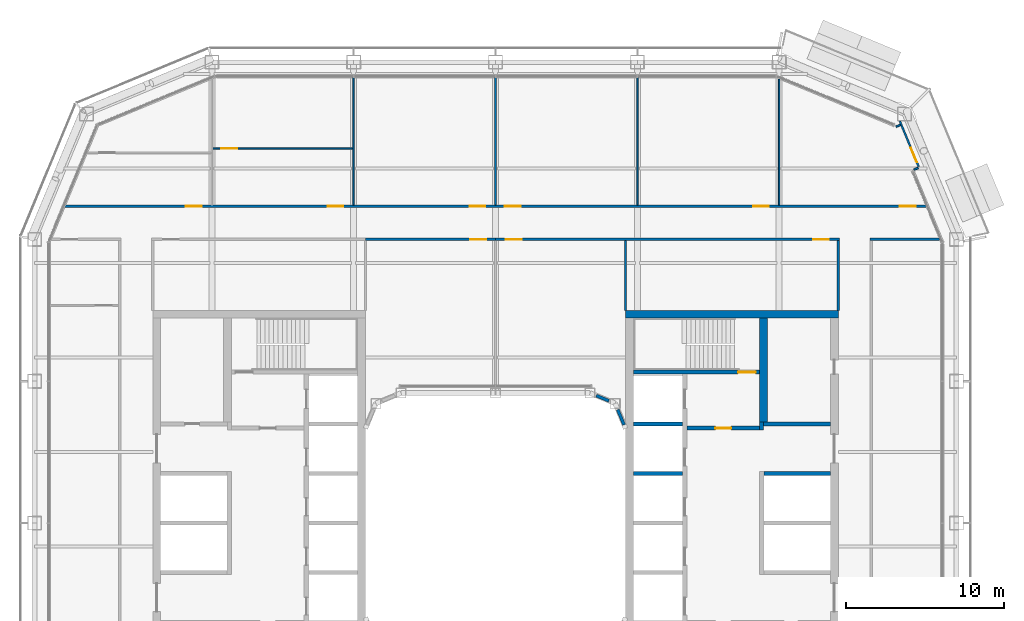
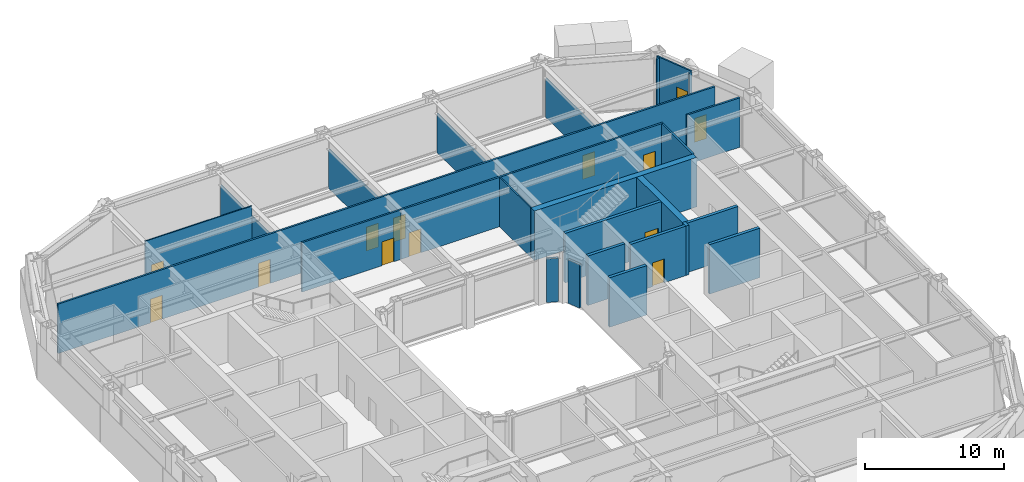
# One storey, part 14 of 23: 25 walls, 13 doors, 13 openings.
"""IFC4 building model written with IfcOpenShell, lengths in metres."""

from ifc_helpers import new_model, si_unit, direction, frame, frame_2d, origin, place, context, subcontext, project, spatial, rectangle, extrude, material, layer, layer_set, type_object, element, fill, save


model = new_model("IFC4")

# Units and contexts
model_context = context("Model", 3, precision=1e-05, world=origin(), true_north=direction((0.0, 1.0)))
body_context = subcontext(model_context, "Body", "Model", "MODEL_VIEW")
ifc_project = project(units=[si_unit("LENGTHUNIT", "METRE"), si_unit("AREAUNIT", "SQUARE_METRE"), si_unit("VOLUMEUNIT", "CUBIC_METRE"), si_unit("PLANEANGLEUNIT", "RADIAN"), si_unit("MASSUNIT", "GRAM", prefix="KILO")], contexts=[model_context])

# Site, building, storey
site_placement = place(None, origin())
site = spatial("IfcSite", under=ifc_project, at=site_placement, CompositionType="ELEMENT")
building_placement = place(site_placement, origin())
building = spatial("IfcBuilding", under=site, at=building_placement, Name="Siwar Civic Tower", CompositionType="ELEMENT")
storey_placement = place(building_placement, frame((0.0, 0.0, 167.699951171875)))
storey = spatial("IfcBuildingStorey", under=building, at=storey_placement, Name="L36", CompositionType="ELEMENT", Elevation=167.699951171875)

# Wall, opening, door
ifc_material_1 = material(Name="Gypsum board on steel studs", Category="steel")
ifc_layer_1 = layer(ifc_material_1, 0.14990234375)
ifc_layer_set_1 = layer_set([ifc_layer_1], Name="Gypsum board on steel studs")
wall_type_1 = type_object("IfcWallType", Name="COMPARTMENT PARTITION 150 EI 60", PredefinedType="PARTITIONING", material=ifc_layer_set_1)
wall_1_placement = place(storey_placement, frame((-8.25, 18.0, 0.0), z_axis=(0.0, 0.0, 1.0), x_axis=(1.0, 0.0, 0.0)))
wall_1 = element("IfcWall", 1, at=wall_1_placement, inside=storey, type_object=wall_type_1, Name="L36/wall/P13", PredefinedType="PARTITIONING", context=body_context, shape_type="SweptSolid", body=[
    extrude(rectangle(XDim=8.25, YDim=0.14990234375, at=frame_2d((4.125, 0.0))), origin(), (0.0, 0.0, 1.0), 4.35009765625),
])
opening_1_placement = place(wall_1_placement, frame((6.64990234375, 0.0, 0.0)))
opening_1 = element("IfcOpeningElement", 2, at=opening_1_placement, cuts=wall_1, Name="Opening D1", PredefinedType="OPENING", context=body_context, shape_type="SweptSolid", body=[
    extrude(rectangle(XDim=1.0, YDim=2.10009765625, at=frame_2d((0.5, 1.050048828125))), frame((0.0, 0.0849609375, 0.0), z_axis=(0.0, -1.0, 0.0), x_axis=(1.0, 0.0, 0.0)), (0.0, 0.0, 1.0), 0.169921875),
])
ifc_material_2 = material(Name="Timber, painted", Category="wood")
door_type_1 = type_object("IfcDoorType", Name="DOOR 1000 X 2100 FD30", OperationType="SINGLE_SWING_LEFT", PredefinedType="DOOR", material=ifc_material_2)
door_1_placement = place(opening_1_placement, origin())
door_1 = element("IfcDoor", 3, at=door_1_placement, inside=storey, type_object=door_type_1, Name="L36-D16", OperationType="SINGLE_SWING_RIGHT", OverallHeight=2.10009765625, OverallWidth=1.0, PredefinedType="DOOR", context=body_context, shape_type="SweptSolid", body=[
    extrude(rectangle(XDim=1.0, YDim=2.10009765625, at=frame_2d((0.5, 1.050048828125))), frame((0.0, 0.02490234375, 0.0), z_axis=(0.0, -1.0, 0.0), x_axis=(1.0, 0.0, 0.0)), (0.0, 0.0, 1.0), 0.050048828125),
])
fill(opening_1, door_1)

ifc_material_3 = material(Name="Concrete C60/75", Category="concrete")
ifc_layer_2 = layer(ifc_material_3, 0.25)
ifc_layer_set_2 = layer_set([ifc_layer_2], Name="Concrete C60/75")
wall_type_2 = type_object("IfcWallType", Name="CORE-WALL-RC250", PredefinedType="SHEAR", material=ifc_layer_set_2)
wall_2_placement = place(storey_placement, frame((12.14990234375, 6.02490234375, 0.0), z_axis=(0.0, 0.0, 1.0), x_axis=(1.0, 0.0, 0.0)))
wall_2 = element("IfcWall", 4, at=wall_2_placement, inside=storey, type_object=wall_type_2, Name="Core wall E", PredefinedType="SHEAR", context=body_context, shape_type="SweptSolid", body=[
    extrude(rectangle(XDim=4.60009765625, YDim=0.25, at=frame_2d((2.300048828125, 0.0))), origin(), (0.0, 0.0, 1.0), 4.35009765625),
])
opening_2_placement = place(wall_2_placement, frame((1.800048828125, 0.0, 0.0)))
opening_2 = element("IfcOpeningElement", 5, at=opening_2_placement, cuts=wall_2, Name="Opening L36-CE01", PredefinedType="OPENING", context=body_context, shape_type="SweptSolid", body=[
    extrude(rectangle(XDim=1.0, YDim=2.10009765625, at=frame_2d((0.5, 1.050048828125))), frame((0.0, 0.135009765625, 0.0), z_axis=(0.0, -1.0, 0.0), x_axis=(1.0, 0.0, 0.0)), (0.0, 0.0, 1.0), 0.27001953125),
])
ifc_material_4 = material(Name="Steel door leaf", Category="steel")
door_type_2 = type_object("IfcDoorType", Name="CORE-DOOR-FD30S", OperationType="SINGLE_SWING_LEFT", PredefinedType="DOOR", material=ifc_material_4)
door_2_placement = place(opening_2_placement, origin())
door_2 = element("IfcDoor", 6, at=door_2_placement, inside=storey, type_object=door_type_2, Name="Firefighting lobby door L36-CE01", OperationType="SINGLE_SWING_RIGHT", OverallHeight=2.10009765625, OverallWidth=1.0, PredefinedType="DOOR", context=body_context, shape_type="SweptSolid", body=[
    extrude(rectangle(XDim=1.0, YDim=2.10009765625, at=frame_2d((0.5, 1.050048828125))), frame((0.0, 0.02490234375, 0.0), z_axis=(0.0, -1.0, 0.0), x_axis=(1.0, 0.0, 0.0)), (0.0, 0.0, 1.0), 0.050048828125),
])
fill(opening_2, door_2)

# Walls
wall_3_placement = place(storey_placement, frame((16.875, 5.89990234375, 0.0), z_axis=(0.0, 0.0, 1.0), x_axis=(0.0, 1.0, 0.0)))
element("IfcWall", 7, at=wall_3_placement, inside=storey, type_object=wall_type_2, Name="Core wall E", PredefinedType="SHEAR", context=body_context, shape_type="SweptSolid", body=[
    extrude(rectangle(XDim=0.525146484375, YDim=0.25, at=frame_2d((0.2626953125, 0.0))), origin(), (0.0, 0.0, 1.0), 4.35009765625),
])
wall_4_placement = place(storey_placement, frame((17.0, 6.300048828125, 0.0), z_axis=(0.0, 0.0, 1.0), x_axis=(1.0, 0.0, 0.0)))
element("IfcWall", 8, at=wall_4_placement, inside=storey, type_object=wall_type_2, Name="Core wall E", PredefinedType="SHEAR", context=body_context, shape_type="SweptSolid", body=[
    extrude(rectangle(XDim=4.25, YDim=0.25, at=frame_2d((2.125, 0.0))), origin(), (0.0, 0.0, 1.0), 4.35009765625),
])
wall_5_placement = place(storey_placement, frame((17.050048828125, 3.14990234375, 0.0), z_axis=(0.0, 0.0, 1.0), x_axis=(1.0, 0.0, 0.0)))
element("IfcWall", 9, at=wall_5_placement, inside=storey, type_object=wall_type_2, Name="Core wall E", PredefinedType="SHEAR", context=body_context, shape_type="SweptSolid", body=[
    extrude(rectangle(XDim=4.199951171875, YDim=0.25, at=frame_2d((2.10009765625, 0.0))), origin(), (0.0, 0.0, 1.0), 4.35009765625),
])
for number, where, z_axis, x_axis, name in (
    (10, (8.75, 3.14990234375, 0.0), (0.0, 0.0, 1.0), (1.0, 0.0, 0.0), "Core wall E"),
    (11, (8.75, 6.300048828125, 0.0), (0.0, 0.0, 1.0), (1.0, 0.0, 0.0), "Core wall E"),
):
    element("IfcWall", number, at=place(storey_placement, frame(where, z_axis=z_axis, x_axis=x_axis)), inside=storey, type_object=wall_type_2, Name=name, PredefinedType="SHEAR", context=body_context, shape_type="SweptSolid", body=[
        extrude(rectangle(XDim=3.10009765625, YDim=0.25, at=frame_2d((1.550048828125, 0.0))), origin(), (0.0, 0.0, 1.0), 4.35009765625),
    ])

# Wall, opening, door
wall_6_placement = place(storey_placement, frame((8.75, 9.574951171875, 0.0), z_axis=(0.0, 0.0, 1.0), x_axis=(1.0, 0.0, 0.0)))
wall_6 = element("IfcWall", 12, at=wall_6_placement, inside=storey, type_object=wall_type_2, Name="Core wall E", PredefinedType="SHEAR", context=body_context, shape_type="SweptSolid", body=[
    extrude(rectangle(XDim=8.0, YDim=0.25, at=frame_2d((4.0, 0.0))), origin(), (0.0, 0.0, 1.0), 4.35009765625),
])
opening_3_placement = place(wall_6_placement, frame((6.64990234375, 0.0, 0.0)))
opening_3 = element("IfcOpeningElement", 13, at=opening_3_placement, cuts=wall_6, Name="Opening L36-CE03", PredefinedType="OPENING", context=body_context, shape_type="SweptSolid", body=[
    extrude(rectangle(XDim=1.10009765625, YDim=2.10009765625, at=frame_2d((0.550048828125, 1.050048828125))), frame((0.0, 0.135009765625, 0.0), z_axis=(0.0, -1.0, 0.0), x_axis=(1.0, 0.0, 0.0)), (0.0, 0.0, 1.0), 0.27001953125),
])
ifc_material_5 = material(Name="Steel door leaf", Category="steel")
door_type_3 = type_object("IfcDoorType", Name="CORE-DOOR-FD60S", OperationType="SINGLE_SWING_LEFT", PredefinedType="DOOR", material=ifc_material_5)
door_3_placement = place(opening_3_placement, origin())
door_3 = element("IfcDoor", 14, at=door_3_placement, inside=storey, type_object=door_type_3, Name="Stair door L36-CE03", OperationType="SINGLE_SWING_LEFT", OverallHeight=2.10009765625, OverallWidth=1.10009765625, PredefinedType="DOOR", context=body_context, shape_type="SweptSolid", body=[
    extrude(rectangle(XDim=1.10009765625, YDim=2.10009765625, at=frame_2d((0.550048828125, 1.050048828125))), frame((0.0, 0.02490234375, 0.0), z_axis=(0.0, -1.0, 0.0), x_axis=(1.0, 0.0, 0.0)), (0.0, 0.0, 1.0), 0.050048828125),
])
fill(opening_3, door_3)

# Walls
ifc_material_6 = material(Name="Concrete C60/75", Category="concrete")
ifc_layer_3 = layer(ifc_material_6, 0.5)
ifc_layer_set_3 = layer_set([ifc_layer_3], Name="Concrete C60/75")
wall_type_3 = type_object("IfcWallType", Name="CORE-WALL-RC500", PredefinedType="SHEAR", material=ifc_layer_set_3)
wall_7_placement = place(storey_placement, frame((17.0, 6.425048828125, 0.0), z_axis=(0.0, 0.0, 1.0), x_axis=(0.0, 1.0, 0.0)))
element("IfcWall", 15, at=wall_7_placement, inside=storey, type_object=wall_type_3, Name="Core wall E", PredefinedType="SHEAR", context=body_context, shape_type="SweptSolid", body=[
    extrude(rectangle(XDim=6.574951171875, YDim=0.5, at=frame_2d((3.28759765625, 0.0))), origin(), (0.0, 0.0, 1.0), 4.35009765625),
])
wall_8_placement = place(storey_placement, frame((8.25, 13.25, 0.0), z_axis=(0.0, 0.0, 1.0), x_axis=(1.0, 0.0, 0.0)))
element("IfcWall", 16, at=wall_8_placement, inside=storey, type_object=wall_type_3, Name="Core wall E", PredefinedType="SHEAR", context=body_context, shape_type="SweptSolid", body=[
    extrude(rectangle(XDim=13.5, YDim=0.5, at=frame_2d((6.75, 0.0))), origin(), (0.0, 0.0, 1.0), 4.35009765625),
])

# Wall, openings, doors
ifc_material_7 = material(Name="Gypsum board on steel studs", Category="steel")
ifc_layer_4 = layer(ifc_material_7, 0.14990234375)
ifc_layer_set_4 = layer_set([ifc_layer_4], Name="Gypsum board on steel studs")
wall_type_4 = type_object("IfcWallType", Name="CORRIDOR PARTITION 150 EI 30", PredefinedType="PARTITIONING", material=ifc_layer_set_4)
wall_9_placement = place(storey_placement, frame((0.0, 18.0, 0.0), z_axis=(0.0, 0.0, 1.0), x_axis=(1.0, 0.0, 0.0)))
wall_9 = element("IfcWall", 17, at=wall_9_placement, inside=storey, type_object=wall_type_4, Name="L36/wall/P11", PredefinedType="PARTITIONING", context=body_context, shape_type="SweptSolid", body=[
    extrude(rectangle(XDim=21.824951171875, YDim=0.14990234375, at=frame_2d((10.91259765625, 0.0))), origin(), (0.0, 0.0, 1.0), 4.35009765625),
])
opening_4_placement = place(wall_9_placement, frame((0.64990234375, 0.0, 0.0)))
opening_4 = element("IfcOpeningElement", 18, at=opening_4_placement, cuts=wall_9, Name="Opening D1", PredefinedType="OPENING", context=body_context, shape_type="SweptSolid", body=[
    extrude(rectangle(XDim=1.0, YDim=2.10009765625, at=frame_2d((0.5, 1.050048828125))), frame((0.0, 0.0849609375, 0.0), z_axis=(0.0, -1.0, 0.0), x_axis=(1.0, 0.0, 0.0)), (0.0, 0.0, 1.0), 0.169921875),
])
opening_5_placement = place(wall_9_placement, frame((20.14990234375, 0.0, 0.0)))
opening_5 = element("IfcOpeningElement", 19, at=opening_5_placement, cuts=wall_9, Name="Opening D1", PredefinedType="OPENING", context=body_context, shape_type="SweptSolid", body=[
    extrude(rectangle(XDim=1.0, YDim=2.10009765625, at=frame_2d((0.5, 1.050048828125))), frame((0.0, 0.0849609375, 0.0), z_axis=(0.0, -1.0, 0.0), x_axis=(1.0, 0.0, 0.0)), (0.0, 0.0, 1.0), 0.169921875),
])
door_4_placement = place(opening_4_placement, origin())
door_4 = element("IfcDoor", 20, at=door_4_placement, inside=storey, type_object=door_type_1, Name="L36-D17", OperationType="SINGLE_SWING_LEFT", OverallHeight=2.10009765625, OverallWidth=1.0, PredefinedType="DOOR", context=body_context, shape_type="SweptSolid", body=[
    extrude(rectangle(XDim=1.0, YDim=2.10009765625, at=frame_2d((0.5, 1.050048828125))), frame((0.0, 0.02490234375, 0.0), z_axis=(0.0, -1.0, 0.0), x_axis=(1.0, 0.0, 0.0)), (0.0, 0.0, 1.0), 0.050048828125),
])
fill(opening_4, door_4)
door_5_placement = place(opening_5_placement, origin())
door_5 = element("IfcDoor", 21, at=door_5_placement, inside=storey, type_object=door_type_1, Name="L36-D24", OperationType="SINGLE_SWING_RIGHT", OverallHeight=2.10009765625, OverallWidth=1.0, PredefinedType="DOOR", context=body_context, shape_type="SweptSolid", body=[
    extrude(rectangle(XDim=1.0, YDim=2.10009765625, at=frame_2d((0.5, 1.050048828125))), frame((0.0, 0.02490234375, 0.0), z_axis=(0.0, -1.0, 0.0), x_axis=(1.0, 0.0, 0.0)), (0.0, 0.0, 1.0), 0.050048828125),
])
fill(opening_5, door_5)

# Wall
wall_10_placement = place(storey_placement, frame((23.77490234375, 18.0, 0.0), z_axis=(0.0, 0.0, 1.0), x_axis=(1.0, 0.0, 0.0)))
element("IfcWall", 22, at=wall_10_placement, inside=storey, type_object=wall_type_4, Name="L36/wall/P12", PredefinedType="PARTITIONING", context=body_context, shape_type="SweptSolid", body=[
    extrude(rectangle(XDim=4.403076171875, YDim=0.14990234375, at=frame_2d((2.20166015625, 0.0))), origin(), (0.0, 0.0, 1.0), 4.35009765625),
])

# Wall, openings, doors
wall_11_placement = place(storey_placement, frame((-27.30810546875, 20.10009765625, 0.0), z_axis=(0.0, 0.0, 1.0), x_axis=(1.0, 0.0, 0.0)))
wall_11 = element("IfcWall", 23, at=wall_11_placement, inside=storey, type_object=wall_type_4, Name="L36/wall/P14", PredefinedType="PARTITIONING", context=body_context, shape_type="SweptSolid", body=[
    extrude(rectangle(XDim=54.6162109375, YDim=0.14990234375, at=frame_2d((27.30810546875, 0.0))), origin(), (0.0, 0.0, 1.0), 4.35009765625),
])
opening_6_placement = place(wall_11_placement, frame((16.657958984375, 0.0, 0.0)))
opening_6 = element("IfcOpeningElement", 24, at=opening_6_placement, cuts=wall_11, Name="Opening D1", PredefinedType="OPENING", context=body_context, shape_type="SweptSolid", body=[
    extrude(rectangle(XDim=1.0, YDim=2.10009765625, at=frame_2d((0.5, 1.050048828125))), frame((0.0, 0.0849609375, 0.0), z_axis=(0.0, -1.0, 0.0), x_axis=(1.0, 0.0, 0.0)), (0.0, 0.0, 1.0), 0.169921875),
])
opening_7_placement = place(wall_11_placement, frame((25.657958984375, 0.0, 0.0)))
opening_7 = element("IfcOpeningElement", 25, at=opening_7_placement, cuts=wall_11, Name="Opening D1", PredefinedType="OPENING", context=body_context, shape_type="SweptSolid", body=[
    extrude(rectangle(XDim=1.0, YDim=2.10009765625, at=frame_2d((0.5, 1.050048828125))), frame((0.0, 0.0849609375, 0.0), z_axis=(0.0, -1.0, 0.0), x_axis=(1.0, 0.0, 0.0)), (0.0, 0.0, 1.0), 0.169921875),
])
opening_8_placement = place(wall_11_placement, frame((27.907958984375, 0.0, 0.0)))
opening_8 = element("IfcOpeningElement", 26, at=opening_8_placement, cuts=wall_11, Name="Opening D1", PredefinedType="OPENING", context=body_context, shape_type="SweptSolid", body=[
    extrude(rectangle(XDim=1.0, YDim=2.10009765625, at=frame_2d((0.5, 1.050048828125))), frame((0.0, 0.0849609375, 0.0), z_axis=(0.0, -1.0, 0.0), x_axis=(1.0, 0.0, 0.0)), (0.0, 0.0, 1.0), 0.169921875),
])
opening_9_placement = place(wall_11_placement, frame((43.657958984375, 0.0, 0.0)))
opening_9 = element("IfcOpeningElement", 27, at=opening_9_placement, cuts=wall_11, Name="Opening D1", PredefinedType="OPENING", context=body_context, shape_type="SweptSolid", body=[
    extrude(rectangle(XDim=1.0, YDim=2.10009765625, at=frame_2d((0.5, 1.050048828125))), frame((0.0, 0.0849609375, 0.0), z_axis=(0.0, -1.0, 0.0), x_axis=(1.0, 0.0, 0.0)), (0.0, 0.0, 1.0), 0.169921875),
])
opening_10_placement = place(wall_11_placement, frame((7.657958984375, 0.0, 0.0)))
opening_10 = element("IfcOpeningElement", 28, at=opening_10_placement, cuts=wall_11, Name="Opening D1", PredefinedType="OPENING", context=body_context, shape_type="SweptSolid", body=[
    extrude(rectangle(XDim=1.0, YDim=2.10009765625, at=frame_2d((0.5, 1.050048828125))), frame((0.0, 0.0849609375, 0.0), z_axis=(0.0, -1.0, 0.0), x_axis=(1.0, 0.0, 0.0)), (0.0, 0.0, 1.0), 0.169921875),
])
opening_11_placement = place(wall_11_placement, frame((52.966064453125, 0.0, 0.0)))
opening_11 = element("IfcOpeningElement", 29, at=opening_11_placement, cuts=wall_11, Name="Opening D1", PredefinedType="OPENING", context=body_context, shape_type="SweptSolid", body=[
    extrude(rectangle(XDim=1.0, YDim=2.10009765625, at=frame_2d((0.5, 1.050048828125))), frame((0.0, 0.0849609375, 0.0), z_axis=(0.0, -1.0, 0.0), x_axis=(1.0, 0.0, 0.0)), (0.0, 0.0, 1.0), 0.169921875),
])
door_6_placement = place(opening_6_placement, origin())
door_6 = element("IfcDoor", 30, at=door_6_placement, inside=storey, type_object=door_type_1, Name="L36-D01", OperationType="SINGLE_SWING_LEFT", OverallHeight=2.10009765625, OverallWidth=1.0, PredefinedType="DOOR", context=body_context, shape_type="SweptSolid", body=[
    extrude(rectangle(XDim=1.0, YDim=2.10009765625, at=frame_2d((0.5, 1.050048828125))), frame((0.0, 0.02490234375, 0.0), z_axis=(0.0, -1.0, 0.0), x_axis=(1.0, 0.0, 0.0)), (0.0, 0.0, 1.0), 0.050048828125),
])
fill(opening_6, door_6)
door_7_placement = place(opening_7_placement, origin())
door_7 = element("IfcDoor", 31, at=door_7_placement, inside=storey, type_object=door_type_1, Name="L36-D03", OperationType="SINGLE_SWING_LEFT", OverallHeight=2.10009765625, OverallWidth=1.0, PredefinedType="DOOR", context=body_context, shape_type="SweptSolid", body=[
    extrude(rectangle(XDim=1.0, YDim=2.10009765625, at=frame_2d((0.5, 1.050048828125))), frame((0.0, 0.02490234375, 0.0), z_axis=(0.0, -1.0, 0.0), x_axis=(1.0, 0.0, 0.0)), (0.0, 0.0, 1.0), 0.050048828125),
])
fill(opening_7, door_7)
door_8_placement = place(opening_8_placement, origin())
door_8 = element("IfcDoor", 32, at=door_8_placement, inside=storey, type_object=door_type_1, Name="L36-D04", OperationType="SINGLE_SWING_RIGHT", OverallHeight=2.10009765625, OverallWidth=1.0, PredefinedType="DOOR", context=body_context, shape_type="SweptSolid", body=[
    extrude(rectangle(XDim=1.0, YDim=2.10009765625, at=frame_2d((0.5, 1.050048828125))), frame((0.0, 0.02490234375, 0.0), z_axis=(0.0, -1.0, 0.0), x_axis=(1.0, 0.0, 0.0)), (0.0, 0.0, 1.0), 0.050048828125),
])
fill(opening_8, door_8)
door_9_placement = place(opening_9_placement, origin())
door_9 = element("IfcDoor", 33, at=door_9_placement, inside=storey, type_object=door_type_1, Name="L36-D05", OperationType="SINGLE_SWING_LEFT", OverallHeight=2.10009765625, OverallWidth=1.0, PredefinedType="DOOR", context=body_context, shape_type="SweptSolid", body=[
    extrude(rectangle(XDim=1.0, YDim=2.10009765625, at=frame_2d((0.5, 1.050048828125))), frame((0.0, 0.02490234375, 0.0), z_axis=(0.0, -1.0, 0.0), x_axis=(1.0, 0.0, 0.0)), (0.0, 0.0, 1.0), 0.050048828125),
])
fill(opening_9, door_9)
door_10_placement = place(opening_10_placement, origin())
door_10 = element("IfcDoor", 34, at=door_10_placement, inside=storey, type_object=door_type_1, Name="L36-D11", OperationType="SINGLE_SWING_LEFT", OverallHeight=2.10009765625, OverallWidth=1.0, PredefinedType="DOOR", context=body_context, shape_type="SweptSolid", body=[
    extrude(rectangle(XDim=1.0, YDim=2.10009765625, at=frame_2d((0.5, 1.050048828125))), frame((0.0, 0.02490234375, 0.0), z_axis=(0.0, -1.0, 0.0), x_axis=(1.0, 0.0, 0.0)), (0.0, 0.0, 1.0), 0.050048828125),
])
fill(opening_10, door_10)
door_11_placement = place(opening_11_placement, origin())
door_11 = element("IfcDoor", 35, at=door_11_placement, inside=storey, type_object=door_type_1, Name="L36-D13", OperationType="SINGLE_SWING_LEFT", OverallHeight=2.10009765625, OverallWidth=1.0, PredefinedType="DOOR", context=body_context, shape_type="SweptSolid", body=[
    extrude(rectangle(XDim=1.0, YDim=2.10009765625, at=frame_2d((0.5, 1.050048828125))), frame((0.0, 0.02490234375, 0.0), z_axis=(0.0, -1.0, 0.0), x_axis=(1.0, 0.0, 0.0)), (0.0, 0.0, 1.0), 0.050048828125),
])
fill(opening_11, door_11)

# Walls
wall_12_placement = place(storey_placement, frame((21.75, 13.5, 0.0), z_axis=(0.0, 0.0, 1.0), x_axis=(0.0, 1.0, 0.0)))
element("IfcWall", 36, at=wall_12_placement, inside=storey, type_object=wall_type_4, Name="L36/wall/P40", PredefinedType="PARTITIONING", context=body_context, shape_type="SweptSolid", body=[
    extrude(rectangle(XDim=4.425048828125, YDim=0.14990234375, at=frame_2d((2.21240234375, 0.0))), origin(), (0.0, 0.0, 1.0), 4.35009765625),
])
ifc_material_8 = material(Name="Aluminium clad insulated panel", Category="aluminium")
ifc_layer_5 = layer(ifc_material_8, 0.1201171875)
ifc_layer_set_5 = layer_set([ifc_layer_5], Name="Aluminium clad insulated panel")
wall_type_5 = type_object("IfcWallType", Name="ENV-WALL-BAL", PredefinedType="STANDARD", material=ifc_layer_set_5)
for number, where, z_axis, x_axis, name in (
    (37, (26.551025390625, 22.42529296875, 0.0), (0.0, 0.0, 1.0), (0.924119333865, 0.382103986862, 0.0), "Balcony door wall return NE1"),
    (38, (25.421142578125, 25.153076171875, 0.0), (0.0, 0.0, 1.0), (0.923698510492, 0.383120166156, 0.0), "Balcony door wall return NE1"),
):
    element("IfcWall", number, at=place(storey_placement, frame(where, z_axis=z_axis, x_axis=x_axis)), inside=storey, type_object=wall_type_5, Name=name, PredefinedType="STANDARD", context=body_context, shape_type="SweptSolid", body=[
        extrude(rectangle(XDim=0.2900390625, YDim=0.1201171875, at=frame_2d((0.14501953125, 0.0))), origin(), (0.0, 0.0, 1.0), 4.35009765625),
    ])

# Wall, opening, door
wall_13_placement = place(storey_placement, frame((26.8515625, 22.614501953125, 0.0), z_axis=(0.0, 0.0, 1.0), x_axis=(-0.382691800707, 0.923876066186, 0.0)))
wall_13 = element("IfcWall", 39, at=wall_13_placement, inside=storey, type_object=wall_type_5, Name="Balcony door wall NE1", PredefinedType="STANDARD", context=body_context, shape_type="SweptSolid", body=[
    extrude(rectangle(XDim=3.12841796875, YDim=0.1201171875, at=frame_2d((1.564208984375, 0.0))), origin(), (0.0, 0.0, 1.0), 4.35009765625),
])
opening_12_placement = place(wall_13_placement, frame((0.300048828125, 0.0, 0.0)))
opening_12 = element("IfcOpeningElement", 40, at=opening_12_placement, cuts=wall_13, Name="Opening D-BAL", PredefinedType="OPENING", context=body_context, shape_type="SweptSolid", body=[
    extrude(rectangle(XDim=1.0, YDim=2.39990234375, at=frame_2d((0.5, 1.199951171875))), frame((0.0, 0.070068359375, 0.0), z_axis=(0.0, -1.0, 0.0), x_axis=(1.0, 0.0, 0.0)), (0.0, 0.0, 1.0), 0.14013671875),
])
ifc_material_9 = material(Name="Aluminium and glass", Category="aluminium")
door_type_4 = type_object("IfcDoorType", Name="ENV-DOOR-BAL", OperationType="SINGLE_SWING_LEFT", PredefinedType="DOOR", material=ifc_material_9)
door_12_placement = place(opening_12_placement, origin())
door_12 = element("IfcDoor", 41, at=door_12_placement, inside=storey, type_object=door_type_4, Name="Balcony door NE", OperationType="SINGLE_SWING_LEFT", OverallHeight=2.39990234375, OverallWidth=1.0, PredefinedType="DOOR", context=body_context, shape_type="SweptSolid", body=[
    extrude(rectangle(XDim=1.0, YDim=2.39990234375, at=frame_2d((0.5, 1.199951171875))), frame((0.0, 0.02490234375, 0.0), z_axis=(0.0, -1.0, 0.0), x_axis=(1.0, 0.0, 0.0)), (0.0, 0.0, 1.0), 0.050048828125),
])
fill(opening_12, door_12)

# Walls
ifc_material_10 = material(Name="Aluminium clad insulated panel", Category="aluminium")
ifc_layer_6 = layer(ifc_material_10, 0.199951171875)
ifc_layer_set_6 = layer_set([ifc_layer_6], Name="Aluminium clad insulated panel")
wall_type_6 = type_object("IfcWallType", Name="ENV-WALL-WELL", PredefinedType="STANDARD", material=ifc_layer_set_6)
wall_14_placement = place(storey_placement, frame((8.154296875, 6.23095703125, 0.0), z_axis=(0.0, 0.0, 1.0), x_axis=(-0.382694858887, 0.923874799408, 0.0)))
element("IfcWall", 42, at=wall_14_placement, inside=storey, type_object=wall_type_6, Name="Light well corner wall NE1", PredefinedType="STANDARD", context=body_context, shape_type="SweptSolid", body=[
    extrude(rectangle(XDim=1.047607421875, YDim=0.199951171875, at=frame_2d((0.52392578125, 0.0))), origin(), (0.0, 0.0, 1.0), 3.825927734375),
])
wall_15_placement = place(storey_placement, frame((7.19873046875, 7.75341796875, 0.0), z_axis=(0.0, 0.0, 1.0), x_axis=(-0.923894108428, 0.382648241093, 0.0)))
element("IfcWall", 43, at=wall_15_placement, inside=storey, type_object=wall_type_6, Name="Light well corner wall NE2", PredefinedType="STANDARD", context=body_context, shape_type="SweptSolid", body=[
    extrude(rectangle(XDim=0.872802734375, YDim=0.199951171875, at=frame_2d((0.4365234375, 0.0))), origin(), (0.0, 0.0, 1.0), 3.825927734375),
])

# Wall, opening, door
ifc_material_11 = material(Name="Gypsum board on steel studs", Category="steel")
ifc_layer_7 = layer(ifc_material_11, 0.10009765625)
ifc_layer_set_7 = layer_set([ifc_layer_7], Name="Gypsum board on steel studs")
wall_type_7 = type_object("IfcWallType", Name="PARTITION 100 GYPSUM", PredefinedType="PARTITIONING", material=ifc_layer_set_7)
wall_16_placement = place(storey_placement, frame((-17.949951171875, 23.77197265625, 0.0), z_axis=(0.0, 0.0, 1.0), x_axis=(1.0, 0.0, 0.0)))
wall_16 = element("IfcWall", 44, at=wall_16_placement, inside=storey, type_object=wall_type_7, Name="L36/wall/P16", PredefinedType="PARTITIONING", context=body_context, shape_type="SweptSolid", body=[
    extrude(rectangle(XDim=8.89990234375, YDim=0.10009765625, at=frame_2d((4.449951171875, 0.0))), origin(), (0.0, 0.0, 1.0), 4.35009765625),
])
opening_13_placement = place(wall_16_placement, frame((0.550048828125, 0.0, 0.0)))
opening_13 = element("IfcOpeningElement", 45, at=opening_13_placement, cuts=wall_16, Name="Opening D2", PredefinedType="OPENING", context=body_context, shape_type="SweptSolid", body=[
    extrude(rectangle(XDim=1.0, YDim=2.10009765625, at=frame_2d((0.5, 1.050048828125))), frame((0.0, 0.06005859375, 0.0), z_axis=(0.0, -1.0, 0.0), x_axis=(1.0, 0.0, 0.0)), (0.0, 0.0, 1.0), 0.1201171875),
])
ifc_material_12 = material(Name="Timber, painted", Category="wood")
door_type_5 = type_object("IfcDoorType", Name="DOOR 1000 X 2100", OperationType="SINGLE_SWING_LEFT", PredefinedType="DOOR", material=ifc_material_12)
door_13_placement = place(opening_13_placement, origin())
door_13 = element("IfcDoor", 46, at=door_13_placement, inside=storey, type_object=door_type_5, Name="L36-D02", OperationType="SINGLE_SWING_RIGHT", OverallHeight=2.10009765625, OverallWidth=1.0, PredefinedType="DOOR", context=body_context, shape_type="SweptSolid", body=[
    extrude(rectangle(XDim=1.0, YDim=2.10009765625, at=frame_2d((0.5, 1.050048828125))), frame((0.0, 0.02490234375, 0.0), z_axis=(0.0, -1.0, 0.0), x_axis=(1.0, 0.0, 0.0)), (0.0, 0.0, 1.0), 0.050048828125),
])
fill(opening_13, door_13)

# Walls
for number, where, z_axis, x_axis, name in (
    (47, (-9.0, 20.175048828125, 0.0), (0.0, 0.0, 1.0), (0.0, 1.0, 0.0), "L36/wall/P23"),
    (48, (0.0, 20.175048828125, 0.0), (0.0, 0.0, 1.0), (0.0, 1.0, 0.0), "L36/wall/P28"),
):
    element("IfcWall", number, at=place(storey_placement, frame(where, z_axis=z_axis, x_axis=x_axis)), inside=storey, type_object=wall_type_7, Name=name, PredefinedType="PARTITIONING", context=body_context, shape_type="SweptSolid", body=[
        extrude(rectangle(XDim=8.0849609375, YDim=0.10009765625, at=frame_2d((4.04248046875, 0.0))), origin(), (0.0, 0.0, 1.0), 3.449951171875),
    ])
wall_17_placement = place(storey_placement, frame((8.25, 13.5, 0.0), z_axis=(0.0, 0.0, 1.0), x_axis=(0.0, 1.0, 0.0)))
element("IfcWall", 49, at=wall_17_placement, inside=storey, type_object=wall_type_7, Name="L36/wall/P32", PredefinedType="PARTITIONING", context=body_context, shape_type="SweptSolid", body=[
    extrude(rectangle(XDim=4.425048828125, YDim=0.10009765625, at=frame_2d((2.21240234375, 0.0))), origin(), (0.0, 0.0, 1.0), 4.35009765625),
])
wall_18_placement = place(storey_placement, frame((9.0, 20.175048828125, 0.0), z_axis=(0.0, 0.0, 1.0), x_axis=(0.0, 1.0, 0.0)))
element("IfcWall", 50, at=wall_18_placement, inside=storey, type_object=wall_type_7, Name="L36/wall/P36", PredefinedType="PARTITIONING", context=body_context, shape_type="SweptSolid", body=[
    extrude(rectangle(XDim=8.0849609375, YDim=0.10009765625, at=frame_2d((4.04248046875, 0.0))), origin(), (0.0, 0.0, 1.0), 3.449951171875),
])
wall_19_placement = place(storey_placement, frame((18.0, 20.175048828125, 0.0), z_axis=(0.0, 0.0, 1.0), x_axis=(0.0, 1.0, 0.0)))
element("IfcWall", 51, at=wall_19_placement, inside=storey, type_object=wall_type_7, Name="L36/wall/P38", PredefinedType="PARTITIONING", context=body_context, shape_type="SweptSolid", body=[
    extrude(rectangle(XDim=8.0029296875, YDim=0.10009765625, at=frame_2d((4.00146484375, 0.0))), origin(), (0.0, 0.0, 1.0), 3.449951171875),
])

save(model, "model.ifc")
